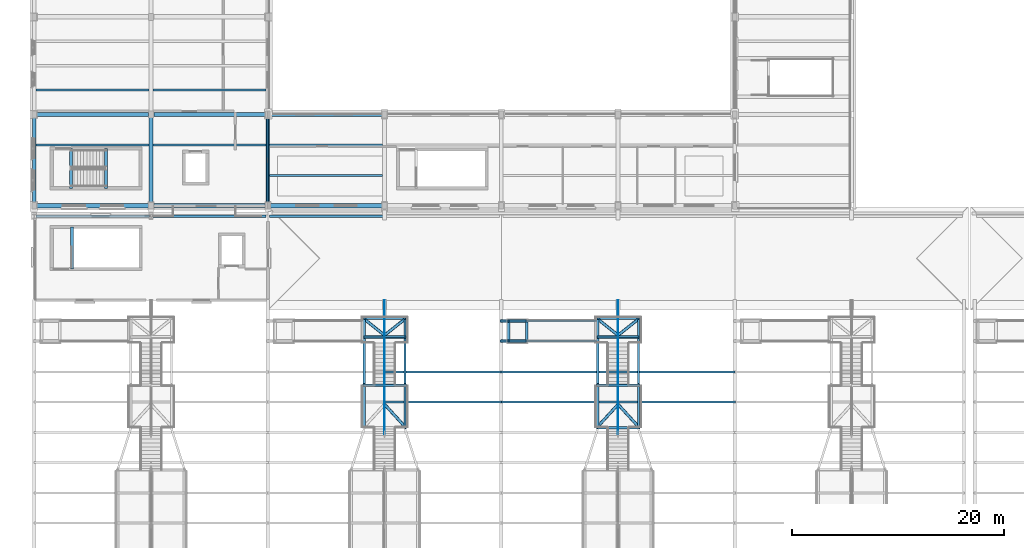
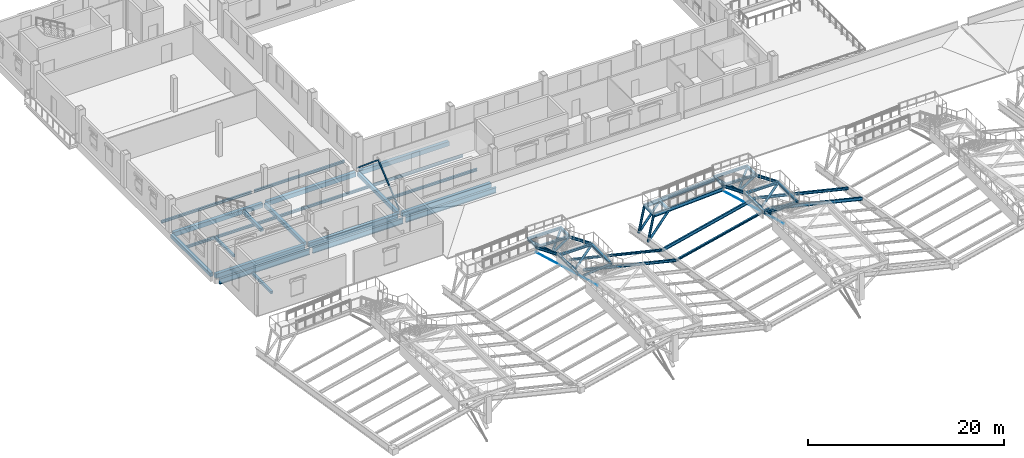
# One storey, part 11 of 43: 44 beams, 29 members.
"""IFC4 building model written with IfcOpenShell, lengths in metres."""

from ifc_helpers import new_model, si_unit, direction, frame, origin, origin_2d, place, context, subcontext, project, spatial, rectangle, hollow_rectangle, circle, hollow_circle, i_section, extrude, material, material_profile, profile_set, type_object, element, save


model = new_model("IFC4")

# Units and contexts
model_context = context("Model", 3, precision=1e-05, world=origin(), true_north=direction((0.0, 1.0)))
body_context = subcontext(model_context, "Body", "Model", "MODEL_VIEW")
ifc_project = project(units=[si_unit("LENGTHUNIT", "METRE"), si_unit("AREAUNIT", "SQUARE_METRE"), si_unit("VOLUMEUNIT", "CUBIC_METRE"), si_unit("PLANEANGLEUNIT", "RADIAN"), si_unit("MASSUNIT", "GRAM", prefix="KILO")], contexts=[model_context])

# Site, building, storey
site_placement = place(None, origin())
site = spatial("IfcSite", under=ifc_project, at=site_placement, CompositionType="ELEMENT")
building_placement = place(site_placement, origin())
building = spatial("IfcBuilding", under=site, at=building_placement, Name="Caurita Quay Ferry Terminal", CompositionType="ELEMENT")
storey_placement = place(building_placement, frame((0.0, 0.0, 14.10009765625)))
storey = spatial("IfcBuildingStorey", under=building, at=storey_placement, Name="L03", CompositionType="ELEMENT", Elevation=14.10009765625)

# Beams
ifc_material_1 = material(Name="Structural steel ASTM A992 Gr. 50", Category="steel")
ifc_material_profile_1 = material_profile(ifc_material_1, i_section(OverallWidth=0.193115234375, OverallDepth=0.46728515625, WebThickness=0.011474609375, FlangeThickness=0.01904296875, FilletRadius=0.0126953125, at=origin_2d()), Name="W18X65")
ifc_profile_set_1 = profile_set([ifc_material_profile_1], Name="Structural steel ASTM A992 Gr. 50")
beam_type_1 = type_object("IfcBeamType", Name="BM-GR-W18A", PredefinedType="BEAM", material=ifc_profile_set_1)
for number, where, z_axis, x_axis, name in (
    (1, (44.550048828125, 58.85009765625, -0.78369140625), (0.998577828833, 0.0, 0.053313410734), (0.0, 1.0, 0.0), "Folded Roof Bay 3 Ramp Underside Stringer S"),
    (2, (44.550048828125, 60.75, -0.78369140625), (0.998577828833, 0.0, 0.053313410734), (0.0, 1.0, 0.0), "Folded Roof Bay 3 Ramp Underside Stringer N"),
):
    element("IfcBeam", number, at=place(storey_placement, frame(where, z_axis=z_axis, x_axis=x_axis)), inside=storey, type_object=beam_type_1, Name=name, PredefinedType="BEAM", context=body_context, shape_type="SweptSolid", body=[
        extrude(i_section(OverallWidth=0.193115234375, OverallDepth=0.46728515625, WebThickness=0.011474609375, FlangeThickness=0.01904296875, FilletRadius=0.0126953125, at=origin_2d()), origin(), (0.0, 0.0, 1.0), 8.439697265625),
    ])
ifc_material_profile_2 = material_profile(ifc_material_1, i_section(OverallWidth=0.25390625, OverallDepth=0.68310546875, WebThickness=0.012451171875, FlangeThickness=0.018798828125, at=origin_2d()), Name="W27X94")
ifc_profile_set_2 = profile_set([ifc_material_profile_2], Name="Structural steel ASTM A992 Gr. 50")
beam_type_2 = type_object("IfcBeamType", Name="BM-GR-W27B", PredefinedType="BEAM", material=ifc_profile_set_2)
for number, where, z_axis, x_axis, name in (
    (3, (0.15771484375, 70.60009765625, -0.5615234375), (1.0, 0.0, 0.0), (0.0, 1.0, 0.0), "L03 Beam BM-V1-L03-X-2-706"),
    (4, (11.15771484375, 70.60009765625, -0.5615234375), (1.0, 0.0, 0.0), (0.0, 1.0, 0.0), "L03 Beam BM-V1-L03-X-112-706"),
    (5, (22.15771484375, 70.60009765625, -0.551513671875), (1.0, 0.0, 0.0), (0.0, 1.0, 0.0), "L03 Beam BM-V1-L03-X-222-706"),
):
    element("IfcBeam", number, at=place(storey_placement, frame(where, z_axis=z_axis, x_axis=x_axis)), inside=storey, type_object=beam_type_2, Name=name, PredefinedType="BEAM", context=body_context, shape_type="SweptSolid", body=[
        extrude(i_section(OverallWidth=0.25390625, OverallDepth=0.68310546875, WebThickness=0.012451171875, FlangeThickness=0.018798828125, at=origin_2d()), origin(), (0.0, 0.0, 1.0), 10.6845703125),
    ])
ifc_material_profile_3 = material_profile(ifc_material_1, i_section(OverallWidth=0.20458984375, OverallDepth=0.307373046875, WebThickness=0.008544921875, FlangeThickness=0.0146484375, FilletRadius=0.0126953125, at=origin_2d()), Name="W12X45")
ifc_profile_set_3 = profile_set([ifc_material_profile_3], Name="Structural steel ASTM A992 Gr. 50")
beam_type_3 = type_object("IfcBeamType", Name="BM-JS-W12B", PredefinedType="JOIST", material=ifc_profile_set_3)
for number, where, z_axis, x_axis, name in (
    (6, (0.175048828125, 77.333251953125, -0.373779296875), (1.0, 0.0, 0.0), (0.0, 1.0, 0.0), "L03 Beam JS-V5-L03-001"),
    (7, (0.175048828125, 82.5, -0.373779296875), (1.0, 0.0, 0.0), (0.0, 1.0, 0.0), "L03 Beam JS-V5-L03-002"),
    (8, (11.175048828125, 77.333251953125, -0.373779296875), (1.0, 0.0, 0.0), (0.0, 1.0, 0.0), "L03 Beam JS-V5-L03-012"),
    (9, (11.175048828125, 82.5, -0.373779296875), (1.0, 0.0, 0.0), (0.0, 1.0, 0.0), "L03 Beam JS-V5-L03-013"),
    (10, (22.175048828125, 74.466796875, -0.373779296875), (1.0, 0.0, 0.0), (0.0, 1.0, 0.0), "L03 Beam JS-V5-L03-023"),
    (11, (22.175048828125, 77.333251953125, -0.373779296875), (1.0, 0.0, 0.0), (0.0, 1.0, 0.0), "L03 Beam JS-V5-L03-024"),
):
    element("IfcBeam", number, at=place(storey_placement, frame(where, z_axis=z_axis, x_axis=x_axis)), inside=storey, type_object=beam_type_3, Name=name, PredefinedType="JOIST", context=body_context, shape_type="SweptSolid", body=[
        extrude(i_section(OverallWidth=0.20458984375, OverallDepth=0.307373046875, WebThickness=0.008544921875, FlangeThickness=0.0146484375, FilletRadius=0.0126953125, at=origin_2d()), origin(), (0.0, 0.0, 1.0), 10.64990234375),
    ])
ifc_material_2 = material(Name="Reinforced concrete C35/45", Category="concrete")
ifc_material_profile_4 = material_profile(ifc_material_2, rectangle(XDim=0.35009765625, YDim=0.449951171875, at=origin_2d()), Name="RC-BM-350X450")
ifc_profile_set_4 = profile_set([ifc_material_profile_4], Name="Reinforced concrete C35/45")
beam_type_4 = type_object("IfcBeamType", Name="BM-RC-3545", PredefinedType="SPANDREL", material=ifc_profile_set_4)
for number, where, z_axis, x_axis, name in (
    (12, (0.0, 71.85498046875, -0.445068359375), (0.0, 1.0, 0.0), (-1.0, 0.0, 0.0), "L03 Beam BM-V5-L03-Y-0-719"),
    (13, (11.0, 71.85498046875, -0.445068359375), (0.0, 1.0, 0.0), (-1.0, 0.0, 0.0), "L03 Beam BM-V5-L03-Y-110-719"),
    (14, (22.0, 71.85498046875, -0.445068359375), (0.0, 1.0, 0.0), (-1.0, 0.0, 0.0), "L03 Beam BM-V5-L03-Y-220-719"),
):
    element("IfcBeam", number, at=place(storey_placement, frame(where, z_axis=z_axis, x_axis=x_axis)), inside=storey, type_object=beam_type_4, Name=name, PredefinedType="SPANDREL", context=body_context, shape_type="SweptSolid", body=[
        extrude(rectangle(XDim=0.35009765625, YDim=0.449951171875, at=origin_2d()), origin(), (0.0, 0.0, 1.0), 8.090087890625),
    ])
ifc_material_profile_5 = material_profile(ifc_material_2, rectangle(XDim=0.39990234375, YDim=0.550048828125, at=origin_2d()), Name="RC-BM-400X550")
ifc_profile_set_5 = profile_set([ifc_material_profile_5], Name="Reinforced concrete C35/45")
beam_type_5 = type_object("IfcBeamType", Name="BM-RC-4055", PredefinedType="BEAM", material=ifc_profile_set_5)
for number, where, z_axis, x_axis, name in (
    (15, (0.2548828125, 71.60009765625, -0.4951171875), (1.0, 0.0, 0.0), (0.0, 1.0, 0.0), "L03 Beam BM-V5-L03-X-3-716"),
    (16, (11.2548828125, 71.60009765625, -0.4951171875), (1.0, 0.0, 0.0), (0.0, 1.0, 0.0), "L03 Beam BM-V5-L03-X-113-716"),
    (17, (22.2548828125, 71.60009765625, -0.4951171875), (1.0, 0.0, 0.0), (0.0, 1.0, 0.0), "L03 Beam BM-V5-L03-X-223-716"),
    (18, (0.2548828125, 80.199951171875, -0.4951171875), (1.0, 0.0, 0.0), (0.0, 1.0, 0.0), "L03 Beam BM-V5-L03-X-3-802"),
    (19, (11.2548828125, 80.199951171875, -0.4951171875), (1.0, 0.0, 0.0), (0.0, 1.0, 0.0), "L03 Beam BM-V5-L03-X-113-802"),
    (20, (22.2548828125, 80.199951171875, -0.4951171875), (1.0, 0.0, 0.0), (0.0, 1.0, 0.0), "L03 Beam BM-V5-L03-X-223-802"),
):
    element("IfcBeam", number, at=place(storey_placement, frame(where, z_axis=z_axis, x_axis=x_axis)), inside=storey, type_object=beam_type_5, Name=name, PredefinedType="BEAM", context=body_context, shape_type="SweptSolid", body=[
        extrude(rectangle(XDim=0.39990234375, YDim=0.550048828125, at=origin_2d()), origin(), (0.0, 0.0, 1.0), 10.490234375),
    ])
ifc_material_profile_6 = material_profile(ifc_material_1, i_section(OverallWidth=0.20458984375, OverallDepth=0.307373046875, WebThickness=0.008544921875, FlangeThickness=0.0146484375, FilletRadius=0.0126953125, at=origin_2d()), Name="W12X45")
ifc_profile_set_6 = profile_set([ifc_material_profile_6], Name="Structural steel ASTM A992 Gr. 50")
beam_type_6 = type_object("IfcBeamType", Name="BM-TRM-W12", PredefinedType="BEAM", material=ifc_profile_set_6)
for number, where, z_axis, x_axis, name in (
    (21, (30.949951171875, 61.0, -0.25390625), (1.0, 0.0, 0.0), (0.0, 1.0, 0.0), "Folded Roof Bay 2 Stair Trimmer Beam 1"),
    (22, (30.949951171875, 59.25, -0.25390625), (1.0, 0.0, 0.0), (0.0, 1.0, 0.0), "Folded Roof Bay 2 Stair Trimmer Beam 2"),
    (23, (30.949951171875, 54.68994140625, 1.546142578125), (1.0, 0.0, 0.0), (0.0, 1.0, 0.0), "Folded Roof Bay 2 Stair Trimmer Beam 3"),
):
    element("IfcBeam", number, at=place(storey_placement, frame(where, z_axis=z_axis, x_axis=x_axis)), inside=storey, type_object=beam_type_6, Name=name, PredefinedType="BEAM", context=body_context, shape_type="SweptSolid", body=[
        extrude(i_section(OverallWidth=0.20458984375, OverallDepth=0.307373046875, WebThickness=0.008544921875, FlangeThickness=0.0146484375, FilletRadius=0.0126953125, at=origin_2d()), origin(), (0.0, 0.0, 1.0), 4.10009765625),
    ])
for number, where, z_axis, x_axis, name in (
    (24, (31.080078125, 60.897705078125, -0.25390625), (0.0, -1.0, 0.0), (1.0, 0.0, 0.0), "Folded Roof Bay 2 Lookout Edge Beam 01"),
    (25, (34.919921875, 60.897705078125, -0.25390625), (0.0, -1.0, 0.0), (1.0, 0.0, 0.0), "Folded Roof Bay 2 Lookout Edge Beam 02"),
):
    element("IfcBeam", number, at=place(storey_placement, frame(where, z_axis=z_axis, x_axis=x_axis)), inside=storey, type_object=beam_type_6, Name=name, PredefinedType="BEAM", context=body_context, shape_type="SweptSolid", body=[
        extrude(i_section(OverallWidth=0.20458984375, OverallDepth=0.307373046875, WebThickness=0.008544921875, FlangeThickness=0.0146484375, FilletRadius=0.0126953125, at=origin_2d()), origin(), (0.0, 0.0, 1.0), 1.54541015625),
    ])
for number, where, z_axis, x_axis, name in (
    (26, (31.080078125, 59.147705078125, -0.25390625), (0.0, -0.924182728414, 0.381950630975), (1.0, 0.0, 0.0), "Folded Roof Bay 2 Lookout Edge Beam 03"),
    (27, (34.919921875, 59.147705078125, -0.25390625), (0.0, -0.924182728414, 0.381950630975), (1.0, 0.0, 0.0), "Folded Roof Bay 2 Lookout Edge Beam 04"),
):
    element("IfcBeam", number, at=place(storey_placement, frame(where, z_axis=z_axis, x_axis=x_axis)), inside=storey, type_object=beam_type_6, Name=name, PredefinedType="BEAM", context=body_context, shape_type="SweptSolid", body=[
        extrude(i_section(OverallWidth=0.20458984375, OverallDepth=0.307373046875, WebThickness=0.008544921875, FlangeThickness=0.0146484375, FilletRadius=0.0126953125, at=origin_2d()), origin(), (0.0, 0.0, 1.0), 4.712890625),
    ])
for number, where, z_axis, x_axis, name in (
    (28, (31.080078125, 54.587890625, 1.546142578125), (0.0, -1.0, 0.0), (1.0, 0.0, 0.0), "Folded Roof Bay 2 Lookout Edge Beam 05"),
    (29, (34.919921875, 54.587890625, 1.546142578125), (0.0, -1.0, 0.0), (1.0, 0.0, 0.0), "Folded Roof Bay 2 Lookout Edge Beam 06"),
):
    element("IfcBeam", number, at=place(storey_placement, frame(where, z_axis=z_axis, x_axis=x_axis)), inside=storey, type_object=beam_type_6, Name=name, PredefinedType="BEAM", context=body_context, shape_type="SweptSolid", body=[
        extrude(i_section(OverallWidth=0.20458984375, OverallDepth=0.307373046875, WebThickness=0.008544921875, FlangeThickness=0.0146484375, FilletRadius=0.0126953125, at=origin_2d()), origin(), (0.0, 0.0, 1.0), 3.795654296875),
    ])
for number, where, z_axis, x_axis, name in (
    (30, (52.949951171875, 61.0, -0.25390625), (1.0, 0.0, 0.0), (0.0, 1.0, 0.0), "Folded Roof Bay 3 Stair Trimmer Beam 1"),
    (31, (52.949951171875, 59.25, -0.25390625), (1.0, 0.0, 0.0), (0.0, 1.0, 0.0), "Folded Roof Bay 3 Stair Trimmer Beam 2"),
    (32, (52.949951171875, 54.68994140625, 1.546142578125), (1.0, 0.0, 0.0), (0.0, 1.0, 0.0), "Folded Roof Bay 3 Stair Trimmer Beam 3"),
    (33, (52.949951171875, 50.68994140625, 1.546142578125), (1.0, 0.0, 0.0), (0.0, 1.0, 0.0), "Folded Roof Bay 3 Stair Trimmer Beam 4"),
):
    element("IfcBeam", number, at=place(storey_placement, frame(where, z_axis=z_axis, x_axis=x_axis)), inside=storey, type_object=beam_type_6, Name=name, PredefinedType="BEAM", context=body_context, shape_type="SweptSolid", body=[
        extrude(i_section(OverallWidth=0.20458984375, OverallDepth=0.307373046875, WebThickness=0.008544921875, FlangeThickness=0.0146484375, FilletRadius=0.0126953125, at=origin_2d()), origin(), (0.0, 0.0, 1.0), 4.10009765625),
    ])
for number, where, z_axis, x_axis, name in (
    (34, (53.080078125, 60.897705078125, -0.25390625), (0.0, -1.0, 0.0), (1.0, 0.0, 0.0), "Folded Roof Bay 3 Lookout Edge Beam 01"),
    (35, (56.919921875, 60.897705078125, -0.25390625), (0.0, -1.0, 0.0), (1.0, 0.0, 0.0), "Folded Roof Bay 3 Lookout Edge Beam 02"),
):
    element("IfcBeam", number, at=place(storey_placement, frame(where, z_axis=z_axis, x_axis=x_axis)), inside=storey, type_object=beam_type_6, Name=name, PredefinedType="BEAM", context=body_context, shape_type="SweptSolid", body=[
        extrude(i_section(OverallWidth=0.20458984375, OverallDepth=0.307373046875, WebThickness=0.008544921875, FlangeThickness=0.0146484375, FilletRadius=0.0126953125, at=origin_2d()), origin(), (0.0, 0.0, 1.0), 1.54541015625),
    ])
for number, where, z_axis, x_axis, name in (
    (36, (53.080078125, 59.147705078125, -0.25390625), (0.0, -0.924182728414, 0.381950630975), (1.0, 0.0, 0.0), "Folded Roof Bay 3 Lookout Edge Beam 03"),
    (37, (56.919921875, 59.147705078125, -0.25390625), (0.0, -0.924182728414, 0.381950630975), (1.0, 0.0, 0.0), "Folded Roof Bay 3 Lookout Edge Beam 04"),
):
    element("IfcBeam", number, at=place(storey_placement, frame(where, z_axis=z_axis, x_axis=x_axis)), inside=storey, type_object=beam_type_6, Name=name, PredefinedType="BEAM", context=body_context, shape_type="SweptSolid", body=[
        extrude(i_section(OverallWidth=0.20458984375, OverallDepth=0.307373046875, WebThickness=0.008544921875, FlangeThickness=0.0146484375, FilletRadius=0.0126953125, at=origin_2d()), origin(), (0.0, 0.0, 1.0), 4.712890625),
    ])
for number, where, z_axis, x_axis, name in (
    (38, (53.080078125, 54.587890625, 1.546142578125), (0.0, -1.0, 0.0), (1.0, 0.0, 0.0), "Folded Roof Bay 3 Lookout Edge Beam 05"),
    (39, (56.919921875, 54.587890625, 1.546142578125), (0.0, -1.0, 0.0), (1.0, 0.0, 0.0), "Folded Roof Bay 3 Lookout Edge Beam 06"),
):
    element("IfcBeam", number, at=place(storey_placement, frame(where, z_axis=z_axis, x_axis=x_axis)), inside=storey, type_object=beam_type_6, Name=name, PredefinedType="BEAM", context=body_context, shape_type="SweptSolid", body=[
        extrude(i_section(OverallWidth=0.20458984375, OverallDepth=0.307373046875, WebThickness=0.008544921875, FlangeThickness=0.0146484375, FilletRadius=0.0126953125, at=origin_2d()), origin(), (0.0, 0.0, 1.0), 3.795654296875),
    ])
ifc_material_profile_7 = material_profile(ifc_material_2, rectangle(XDim=0.25, YDim=0.300048828125, at=origin_2d()), Name="RC-LN-250X300")
ifc_profile_set_7 = profile_set([ifc_material_profile_7], Name="Reinforced concrete C35/45")
beam_type_7 = type_object("IfcBeamType", Name="LN-RC-2530", PredefinedType="LINTEL", material=ifc_profile_set_7)
beam_1_placement = place(storey_placement, frame((3.449951171875, 73.25, -0.150146484375), z_axis=(0.0, 1.0, 0.0), x_axis=(-1.0, 0.0, 0.0)))
element("IfcBeam", 40, at=beam_1_placement, inside=storey, type_object=beam_type_7, Name="L03 Stair ST-02 Landing Trimmer Beam", PredefinedType="LINTEL", context=body_context, shape_type="SweptSolid", body=[
    extrude(rectangle(XDim=0.25, YDim=0.300048828125, at=origin_2d()), origin(), (0.0, 0.0, 1.0), 3.760009765625),
])
beam_2_placement = place(storey_placement, frame((3.550048828125, 65.64990234375, -0.150146484375), z_axis=(0.0, 1.0, 0.0), x_axis=(-1.0, 0.0, 0.0)))
element("IfcBeam", 41, at=beam_2_placement, inside=storey, type_object=beam_type_7, Name="L03 Stair ST-05 Landing Trimmer Beam", PredefinedType="LINTEL", context=body_context, shape_type="SweptSolid", body=[
    extrude(rectangle(XDim=0.25, YDim=0.300048828125, at=origin_2d()), origin(), (0.0, 0.0, 1.0), 3.960205078125),
])
for number, where, z_axis, x_axis, name in (
    (42, (44.679931640625, 58.946533203125, -0.7001953125), (0.0, 1.0, 0.0), (-1.0, 0.0, 0.0), "Folded Roof Bay 3 Ramp Pad Transverse Beam 1"),
    (43, (46.39990234375, 58.946533203125, -0.7001953125), (0.0, 1.0, 0.0), (-1.0, 0.0, 0.0), "Folded Roof Bay 3 Ramp Pad Transverse Beam 2"),
):
    element("IfcBeam", number, at=place(storey_placement, frame(where, z_axis=z_axis, x_axis=x_axis)), inside=storey, type_object=beam_type_7, Name=name, PredefinedType="LINTEL", context=body_context, shape_type="SweptSolid", body=[
        extrude(rectangle(XDim=0.25, YDim=0.300048828125, at=origin_2d()), origin(), (0.0, 0.0, 1.0), 1.70703125),
    ])
ifc_material_profile_8 = material_profile(ifc_material_2, rectangle(XDim=0.300048828125, YDim=0.35009765625, at=origin_2d()), Name="RC-LN-300X350")
ifc_profile_set_8 = profile_set([ifc_material_profile_8], Name="Reinforced concrete C35/45")
beam_type_8 = type_object("IfcBeamType", Name="LN-RC-3035", PredefinedType="LINTEL", material=ifc_profile_set_8)
beam_3_placement = place(storey_placement, frame((6.75, 73.25, 1.9248046875), z_axis=(0.0, 1.0, 0.0), x_axis=(-1.0, 0.0, 0.0)))
element("IfcBeam", 44, at=beam_3_placement, inside=storey, type_object=beam_type_8, Name="L03 Stair ST-02 Half-Landing Beam 1", PredefinedType="LINTEL", context=body_context, shape_type="SweptSolid", body=[
    extrude(rectangle(XDim=0.300048828125, YDim=0.35009765625, at=origin_2d()), origin(), (0.0, 0.0, 1.0), 3.760009765625),
])

# Members
ifc_material_3 = material(Name="Hollow structural steel ASTM A500 Gr. C", Category="steel")
ifc_material_profile_9 = material_profile(ifc_material_3, hollow_rectangle(XDim=0.15234375, YDim=0.15234375, WallThickness=0.0087890625, InnerFilletRadius=0.0087890625, OuterFilletRadius=0.017822265625, at=origin_2d()), Name="HSS6X6X3/8")
ifc_profile_set_9 = profile_set([ifc_material_profile_9], Name="Hollow structural steel ASTM A500 Gr. C")
member_type_1 = type_object("IfcMemberType", Name="MEM-BRC-06", PredefinedType="BRACE", material=ifc_profile_set_9)
member_1_placement = place(storey_placement, frame((22.0, 71.60009765625, 0.119873046875), z_axis=(0.0, 0.765856469648, 0.643011561247), x_axis=(-1.0, 0.0, 0.0)))
element("IfcMember", 45, at=member_1_placement, inside=storey, type_object=member_type_1, Name="L03 Chevron Seismic Brace 20A", PredefinedType="BRACE", context=body_context, shape_type="SweptSolid", body=[
    extrude(hollow_rectangle(XDim=0.15234375, YDim=0.15234375, WallThickness=0.0087890625, InnerFilletRadius=0.0087890625, OuterFilletRadius=0.017822265625, at=origin_2d()), origin(), (0.0, 0.0, 1.0), 5.6142578125),
])
member_2_placement = place(storey_placement, frame((22.0, 80.199951171875, 0.119873046875), z_axis=(0.0, -0.765874448195, 0.64299014736), x_axis=(1.0, 0.0, 0.0)))
element("IfcMember", 46, at=member_2_placement, inside=storey, type_object=member_type_1, Name="L03 Chevron Seismic Brace 20B", PredefinedType="BRACE", context=body_context, shape_type="SweptSolid", body=[
    extrude(hollow_rectangle(XDim=0.15234375, YDim=0.15234375, WallThickness=0.0087890625, InnerFilletRadius=0.0087890625, OuterFilletRadius=0.017822265625, at=origin_2d()), origin(), (0.0, 0.0, 1.0), 5.614501953125),
])
ifc_material_4 = material(Name="Structural stay cable steel ASTM A586", Category="steel")
ifc_material_profile_10 = material_profile(ifc_material_4, circle(Radius=0.031982421875, at=origin_2d()), Name="CABLE-D64")
ifc_profile_set_10 = profile_set([ifc_material_profile_10], Name="Structural stay cable steel ASTM A586")
member_type_2 = type_object("IfcMemberType", Name="MEM-CBL-64", PredefinedType="USERDEFINED", material=ifc_profile_set_10)
member_3_placement = place(storey_placement, frame((33.0, 62.699951171875, -3.650146484375), z_axis=(0.0, -0.962913233347, 0.269811239657), x_axis=(1.0, 0.0, 0.0)))
element("IfcMember", 47, at=member_3_placement, inside=storey, type_object=member_type_2, Name="Folded Roof Stay Cable V1-04-N2", ObjectType="STAY CABLE", PredefinedType="USERDEFINED", context=body_context, shape_type="SweptSolid", body=[
    extrude(circle(Radius=0.031982421875, at=origin_2d()), origin(), (0.0, 0.0, 1.0), 13.085205078125),
])
ifc_material_profile_11 = material_profile(ifc_material_4, circle(Radius=0.0380859375, at=origin_2d()), Name="CABLE-D76")
ifc_profile_set_11 = profile_set([ifc_material_profile_11], Name="Structural stay cable steel ASTM A586")
member_type_3 = type_object("IfcMemberType", Name="MEM-CBL-76", PredefinedType="USERDEFINED", material=ifc_profile_set_11)
member_4_placement = place(storey_placement, frame((55.0, 62.699951171875, -3.650146484375), z_axis=(0.0, -0.963039177166, 0.269361361824), x_axis=(1.0, 0.0, 0.0)))
element("IfcMember", 48, at=member_4_placement, inside=storey, type_object=member_type_3, Name="Folded Roof Stay Cable V1-06-N2", ObjectType="STAY CABLE", PredefinedType="USERDEFINED", context=body_context, shape_type="SweptSolid", body=[
    extrude(circle(Radius=0.0380859375, at=origin_2d()), origin(), (0.0, 0.0, 1.0), 13.08349609375),
])
ifc_material_profile_12 = material_profile(ifc_material_1, i_section(OverallWidth=0.2021484375, OverallDepth=0.246337890625, WebThickness=0.00732421875, FlangeThickness=0.010986328125, FilletRadius=0.01025390625, at=origin_2d()), Name="W10X33")
ifc_profile_set_12 = profile_set([ifc_material_profile_12], Name="Structural steel ASTM A992 Gr. 50")
member_type_4 = type_object("IfcMemberType", Name="MEM-PUR-10", PredefinedType="PURLIN", material=ifc_profile_set_12)
member_5_placement = place(storey_placement, frame((33.0, 55.949951171875, -0.47998046875), z_axis=(0.972384559308, 0.0, -0.23338437998), x_axis=(0.0, 1.0, 0.0)))
element("IfcMember", 49, at=member_5_placement, inside=storey, type_object=member_type_4, Name="Folded Roof Purlin PUR-038", PredefinedType="PURLIN", context=body_context, shape_type="SweptSolid", body=[
    extrude(i_section(OverallWidth=0.2021484375, OverallDepth=0.246337890625, WebThickness=0.00732421875, FlangeThickness=0.010986328125, FilletRadius=0.01025390625, at=origin_2d()), origin(), (0.0, 0.0, 1.0), 11.3125),
])
member_6_placement = place(storey_placement, frame((44.0, 53.10009765625, -2.6640625), z_axis=(0.972389456854, 0.0, 0.233363973654), x_axis=(0.0, 1.0, 0.0)))
element("IfcMember", 50, at=member_6_placement, inside=storey, type_object=member_type_4, Name="Folded Roof Purlin PUR-047", PredefinedType="PURLIN", context=body_context, shape_type="SweptSolid", body=[
    extrude(i_section(OverallWidth=0.2021484375, OverallDepth=0.246337890625, WebThickness=0.00732421875, FlangeThickness=0.010986328125, FilletRadius=0.01025390625, at=origin_2d()), origin(), (0.0, 0.0, 1.0), 11.312255859375),
])
ifc_material_profile_13 = material_profile(ifc_material_1, i_section(OverallWidth=0.20458984375, OverallDepth=0.307373046875, WebThickness=0.008544921875, FlangeThickness=0.0146484375, FilletRadius=0.0126953125, at=origin_2d()), Name="W12X45")
ifc_profile_set_13 = profile_set([ifc_material_profile_13], Name="Structural steel ASTM A992 Gr. 50")
member_type_5 = type_object("IfcMemberType", Name="MEM-PUR-12", PredefinedType="PURLIN", material=ifc_profile_set_13)
member_7_placement = place(storey_placement, frame((33.0, 53.10009765625, -0.024169921875), z_axis=(0.972389456854, 0.0, -0.233363973654), x_axis=(0.0, 1.0, 0.0)))
element("IfcMember", 51, at=member_7_placement, inside=storey, type_object=member_type_5, Name="Folded Roof Purlin PUR-037", PredefinedType="PURLIN", context=body_context, shape_type="SweptSolid", body=[
    extrude(i_section(OverallWidth=0.20458984375, OverallDepth=0.307373046875, WebThickness=0.008544921875, FlangeThickness=0.0146484375, FilletRadius=0.0126953125, at=origin_2d()), origin(), (0.0, 0.0, 1.0), 11.312255859375),
])
member_8_placement = place(storey_placement, frame((55.0, 55.949951171875, -0.47998046875), z_axis=(0.972384559308, 0.0, -0.23338437998), x_axis=(0.0, 1.0, 0.0)))
element("IfcMember", 52, at=member_8_placement, inside=storey, type_object=member_type_5, Name="Folded Roof Purlin PUR-058", PredefinedType="PURLIN", context=body_context, shape_type="SweptSolid", body=[
    extrude(i_section(OverallWidth=0.20458984375, OverallDepth=0.307373046875, WebThickness=0.008544921875, FlangeThickness=0.0146484375, FilletRadius=0.0126953125, at=origin_2d()), origin(), (0.0, 0.0, 1.0), 11.3125),
])
ifc_material_profile_14 = material_profile(ifc_material_1, i_section(OverallWidth=0.177734375, OverallDepth=0.40380859375, WebThickness=0.007568359375, FlangeThickness=0.010986328125, FilletRadius=0.011474609375, at=origin_2d()), Name="W16X36")
ifc_profile_set_14 = profile_set([ifc_material_profile_14], Name="Structural steel ASTM A992 Gr. 50")
member_type_6 = type_object("IfcMemberType", Name="MEM-PUR-16", PredefinedType="PURLIN", material=ifc_profile_set_14)
member_9_placement = place(storey_placement, frame((44.0, 55.949951171875, -3.1201171875), z_axis=(0.972384559308, 0.0, 0.23338437998), x_axis=(0.0, 1.0, 0.0)))
element("IfcMember", 53, at=member_9_placement, inside=storey, type_object=member_type_6, Name="Folded Roof Purlin PUR-048", PredefinedType="PURLIN", context=body_context, shape_type="SweptSolid", body=[
    extrude(i_section(OverallWidth=0.177734375, OverallDepth=0.40380859375, WebThickness=0.007568359375, FlangeThickness=0.010986328125, FilletRadius=0.011474609375, at=origin_2d()), origin(), (0.0, 0.0, 1.0), 11.3125),
])
member_10_placement = place(storey_placement, frame((55.0, 53.10009765625, -0.024169921875), z_axis=(0.972389456854, 0.0, -0.233363973654), x_axis=(0.0, 1.0, 0.0)))
element("IfcMember", 54, at=member_10_placement, inside=storey, type_object=member_type_6, Name="Folded Roof Purlin PUR-057", PredefinedType="PURLIN", context=body_context, shape_type="SweptSolid", body=[
    extrude(i_section(OverallWidth=0.177734375, OverallDepth=0.40380859375, WebThickness=0.007568359375, FlangeThickness=0.010986328125, FilletRadius=0.011474609375, at=origin_2d()), origin(), (0.0, 0.0, 1.0), 11.312255859375),
])
ifc_material_profile_15 = material_profile(ifc_material_3, hollow_circle(Radius=0.136474609375, WallThickness=0.008544921875, at=origin_2d()), Name="HSS10.750X0.365")
ifc_profile_set_15 = profile_set([ifc_material_profile_15], Name="Hollow structural steel ASTM A500 Gr. C")
member_type_7 = type_object("IfcMemberType", Name="MEM-STR-10", PredefinedType="STRUT", material=ifc_profile_set_15)
for number, where, z_axis, x_axis, name in (
    (55, (33.0, 59.39990234375, -1.612060546875), (-0.691667618679, 0.550612118648, 0.467356609099), (-0.622815852586, -0.782368464196, 0.0), "Folded Roof Bay 2 Lookout Bent Strut 1W"),
    (56, (33.0, 59.39990234375, -1.612060546875), (0.691667618679, 0.550612118648, 0.467356609099), (-0.622815852586, 0.782368464196, 0.0), "Folded Roof Bay 2 Lookout Bent Strut 1E"),
):
    element("IfcMember", number, at=place(storey_placement, frame(where, z_axis=z_axis, x_axis=x_axis)), inside=storey, type_object=member_type_7, Name=name, PredefinedType="STRUT", context=body_context, shape_type="SweptSolid", body=[
        extrude(hollow_circle(Radius=0.136474609375, WallThickness=0.008544921875, at=origin_2d()), origin(), (0.0, 0.0, 1.0), 2.906005859375),
    ])
for number, where, z_axis, x_axis, name in (
    (57, (33.0, 59.25, -1.588134765625), (-0.833154023722, 0.0, 0.55304102267), (0.0, -1.0, 0.0), "Folded Roof Bay 2 Lookout Bent Strut 2W"),
    (58, (33.0, 59.25, -1.588134765625), (0.833154023722, 0.0, 0.55304102267), (0.0, 1.0, 0.0), "Folded Roof Bay 2 Lookout Bent Strut 2E"),
):
    element("IfcMember", number, at=place(storey_placement, frame(where, z_axis=z_axis, x_axis=x_axis)), inside=storey, type_object=member_type_7, Name=name, PredefinedType="STRUT", context=body_context, shape_type="SweptSolid", body=[
        extrude(hollow_circle(Radius=0.136474609375, WallThickness=0.008544921875, at=origin_2d()), origin(), (0.0, 0.0, 1.0), 2.41259765625),
    ])
for number, where, z_axis, x_axis, name in (
    (59, (33.0, 54.68994140625, -0.8583984375), (-0.641355995055, 0.0, 0.767243434385), (0.0, -1.0, 0.0), "Folded Roof Bay 2 Lookout Bent Strut 3W"),
    (60, (33.0, 54.68994140625, -0.8583984375), (0.641355995055, 0.0, 0.767243434385), (0.0, 1.0, 0.0), "Folded Roof Bay 2 Lookout Bent Strut 3E"),
):
    element("IfcMember", number, at=place(storey_placement, frame(where, z_axis=z_axis, x_axis=x_axis)), inside=storey, type_object=member_type_7, Name=name, PredefinedType="STRUT", context=body_context, shape_type="SweptSolid", body=[
        extrude(hollow_circle(Radius=0.136474609375, WallThickness=0.008544921875, at=origin_2d()), origin(), (0.0, 0.0, 1.0), 3.134033203125),
    ])
member_11_placement = place(storey_placement, frame((33.0, 52.889892578125, -0.570556640625), z_axis=(0.549907207935, -0.601872203414, 0.579095772234), x_axis=(0.738258416995, 0.674517983256, 0.0)))
element("IfcMember", 61, at=member_11_placement, inside=storey, type_object=member_type_7, Name="Folded Roof Bay 2 Lookout Bent Strut 4E", PredefinedType="STRUT", context=body_context, shape_type="SweptSolid", body=[
    extrude(hollow_circle(Radius=0.136474609375, WallThickness=0.008544921875, at=origin_2d()), origin(), (0.0, 0.0, 1.0), 3.6552734375),
])
for number, where, z_axis, x_axis, name in (
    (62, (55.0, 59.39990234375, -1.612060546875), (-0.691667618679, 0.550612118648, 0.467356609099), (-0.622815852586, -0.782368464196, 0.0), "Folded Roof Bay 3 Lookout Bent Strut 1W"),
    (63, (55.0, 59.39990234375, -1.612060546875), (0.691667618679, 0.550612118648, 0.467356609099), (-0.622815852586, 0.782368464196, 0.0), "Folded Roof Bay 3 Lookout Bent Strut 1E"),
):
    element("IfcMember", number, at=place(storey_placement, frame(where, z_axis=z_axis, x_axis=x_axis)), inside=storey, type_object=member_type_7, Name=name, PredefinedType="STRUT", context=body_context, shape_type="SweptSolid", body=[
        extrude(hollow_circle(Radius=0.136474609375, WallThickness=0.008544921875, at=origin_2d()), origin(), (0.0, 0.0, 1.0), 2.906005859375),
    ])
for number, where, z_axis, x_axis, name in (
    (64, (55.0, 59.25, -1.588134765625), (-0.833154023722, 0.0, 0.55304102267), (0.0, -1.0, 0.0), "Folded Roof Bay 3 Lookout Bent Strut 2W"),
    (65, (55.0, 59.25, -1.588134765625), (0.833154023722, 0.0, 0.55304102267), (0.0, 1.0, 0.0), "Folded Roof Bay 3 Lookout Bent Strut 2E"),
):
    element("IfcMember", number, at=place(storey_placement, frame(where, z_axis=z_axis, x_axis=x_axis)), inside=storey, type_object=member_type_7, Name=name, PredefinedType="STRUT", context=body_context, shape_type="SweptSolid", body=[
        extrude(hollow_circle(Radius=0.136474609375, WallThickness=0.008544921875, at=origin_2d()), origin(), (0.0, 0.0, 1.0), 2.41259765625),
    ])
for number, where, z_axis, x_axis, name in (
    (66, (55.0, 54.68994140625, -0.8583984375), (-0.641355995055, 0.0, 0.767243434385), (0.0, -1.0, 0.0), "Folded Roof Bay 3 Lookout Bent Strut 3W"),
    (67, (55.0, 54.68994140625, -0.8583984375), (0.641355995055, 0.0, 0.767243434385), (0.0, 1.0, 0.0), "Folded Roof Bay 3 Lookout Bent Strut 3E"),
):
    element("IfcMember", number, at=place(storey_placement, frame(where, z_axis=z_axis, x_axis=x_axis)), inside=storey, type_object=member_type_7, Name=name, PredefinedType="STRUT", context=body_context, shape_type="SweptSolid", body=[
        extrude(hollow_circle(Radius=0.136474609375, WallThickness=0.008544921875, at=origin_2d()), origin(), (0.0, 0.0, 1.0), 3.134033203125),
    ])
for number, where, z_axis, x_axis, name in (
    (68, (55.0, 52.889892578125, -0.570556640625), (-0.549907207935, -0.601872203414, 0.579095772234), (0.738258416995, -0.674517983256, 0.0), "Folded Roof Bay 3 Lookout Bent Strut 4W"),
    (69, (55.0, 52.889892578125, -0.570556640625), (0.549907207935, -0.601872203414, 0.579095772234), (0.738258416995, 0.674517983256, 0.0), "Folded Roof Bay 3 Lookout Bent Strut 4E"),
):
    element("IfcMember", number, at=place(storey_placement, frame(where, z_axis=z_axis, x_axis=x_axis)), inside=storey, type_object=member_type_7, Name=name, PredefinedType="STRUT", context=body_context, shape_type="SweptSolid", body=[
        extrude(hollow_circle(Radius=0.136474609375, WallThickness=0.008544921875, at=origin_2d()), origin(), (0.0, 0.0, 1.0), 3.6552734375),
    ])
member_12_placement = place(storey_placement, frame((44.0, 58.85009765625, -3.8662109375), z_axis=(0.206299496183, 0.0, 0.978488895121), x_axis=(0.0, 1.0, 0.0)))
element("IfcMember", 70, at=member_12_placement, inside=storey, type_object=member_type_7, Name="Folded Roof Bay 3 Ramp Pad Strut 1S", PredefinedType="STRUT", context=body_context, shape_type="SweptSolid", body=[
    extrude(hollow_circle(Radius=0.136474609375, WallThickness=0.008544921875, at=origin_2d()), origin(), (0.0, 0.0, 1.0), 3.150390625),
])
member_13_placement = place(storey_placement, frame((44.0, 58.85009765625, -3.8662109375), z_axis=(0.622204179783, 0.0, 0.782855004877), x_axis=(0.0, 1.0, 0.0)))
element("IfcMember", 71, at=member_13_placement, inside=storey, type_object=member_type_7, Name="Folded Roof Bay 3 Ramp Pad Strut 2S", PredefinedType="STRUT", context=body_context, shape_type="SweptSolid", body=[
    extrude(hollow_circle(Radius=0.136474609375, WallThickness=0.008544921875, at=origin_2d()), origin(), (0.0, 0.0, 1.0), 3.9375),
])
member_14_placement = place(storey_placement, frame((44.0, 60.75, -3.8662109375), z_axis=(0.206299496183, 0.0, 0.978488895121), x_axis=(0.0, 1.0, 0.0)))
element("IfcMember", 72, at=member_14_placement, inside=storey, type_object=member_type_7, Name="Folded Roof Bay 3 Ramp Pad Strut 1N", PredefinedType="STRUT", context=body_context, shape_type="SweptSolid", body=[
    extrude(hollow_circle(Radius=0.136474609375, WallThickness=0.008544921875, at=origin_2d()), origin(), (0.0, 0.0, 1.0), 3.150390625),
])
member_15_placement = place(storey_placement, frame((44.0, 60.75, -3.8662109375), z_axis=(0.622204179783, 0.0, 0.782855004877), x_axis=(0.0, 1.0, 0.0)))
element("IfcMember", 73, at=member_15_placement, inside=storey, type_object=member_type_7, Name="Folded Roof Bay 3 Ramp Pad Strut 2N", PredefinedType="STRUT", context=body_context, shape_type="SweptSolid", body=[
    extrude(hollow_circle(Radius=0.136474609375, WallThickness=0.008544921875, at=origin_2d()), origin(), (0.0, 0.0, 1.0), 3.9375),
])

save(model, "model.ifc")
